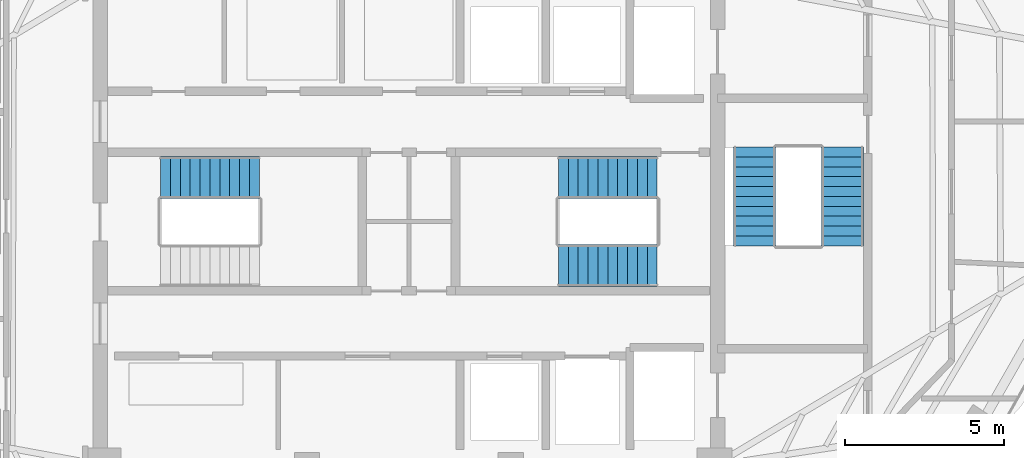
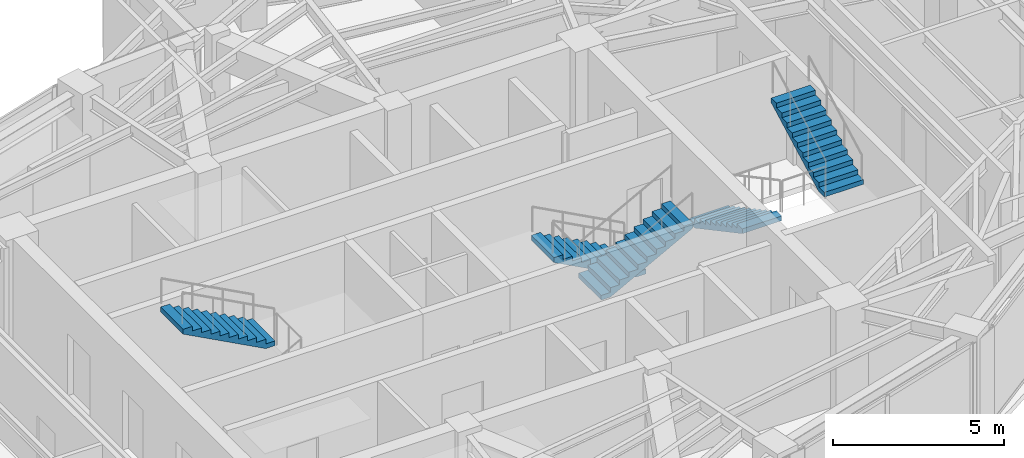
# One storey, part 21 of 23: 5 stair flights, 3 elements without a shape of their own.
"""IFC4 building model written with IfcOpenShell, lengths in metres."""

import ifcopenshell
import ifcopenshell.guid

model = None  # the IFC model being written
_history = None  # IfcOwnerHistory: only IFC2X3 demands one
_inside = {}  # id of a spatial element -> (the spatial element, [elements in it])
_under = {}  # id of a project, library or spatial element -> (it, [spatial elements below it])
_declared = {}  # id of a project -> (the project, [libraries it declares])
_typed = {}  # id of a type object -> (the type object, [elements of that type])
_made_of = {}  # id of a material, layer set ... -> (it, [elements and type objects made of it])


def new_model(schema):
    """Start an empty IFC model of exactly this schema.

    Asked for "IFC4X3", IfcOpenShell would pick the latest addendum, in which some entities
    have other attributes; the version numbers below select the first issue.
    IFC2X3 requires an IfcOwnerHistory on every rooted entity: one is made here for all.
    """
    global model, _history
    if schema == "IFC4X3":
        model = ifcopenshell.file(schema_version=(4, 3, 0, 0))
    else:
        model = ifcopenshell.file(schema=schema)
    _inside.clear()
    _under.clear()
    _declared.clear()
    _typed.clear()
    _made_of.clear()
    _history = None
    if model.schema == "IFC2X3":
        org = make("IfcOrganization", Name="unknown")
        user = make(
            "IfcPersonAndOrganization",
            ThePerson=make("IfcPerson", FamilyName="unknown"),
            TheOrganization=org,
        )
        app = make(
            "IfcApplication",
            ApplicationDeveloper=org,
            Version="unknown",
            ApplicationFullName="unknown",
            ApplicationIdentifier="unknown",
        )
        _history = make(
            "IfcOwnerHistory",
            OwningUser=user,
            OwningApplication=app,
            ChangeAction="ADDED",
            CreationDate=0,
        )
    return model


def make(cls, **values):
    """One entity of the class cls with the attributes given. An attribute that is None is left unset."""
    return model.create_entity(
        cls, **{name: value for name, value in values.items() if value is not None}
    )


def rooted(cls, **values):
    """An entity with a GlobalId (a new one), such as an element, a storey or a relation."""
    return make(cls, GlobalId=ifcopenshell.guid.new(), OwnerHistory=_history, **values)


def si_unit(unit_type, name, prefix=None):
    """IfcSIUnit, for example si_unit("LENGTHUNIT", "METRE", prefix="MILLI")."""
    return make("IfcSIUnit", UnitType=unit_type, Prefix=prefix, Name=name)


def assignment(units):
    """IfcUnitAssignment: the units of a project."""
    return None if units is None else make("IfcUnitAssignment", Units=units)


def point(xyz):
    """IfcCartesianPoint."""
    return None if xyz is None else make("IfcCartesianPoint", Coordinates=xyz)


def direction(xyz):
    """IfcDirection."""
    return None if xyz is None else make("IfcDirection", DirectionRatios=xyz)


def frame(location, z_axis=None, x_axis=None):
    """IfcAxis2Placement3D, a coordinate frame: its origin and axes. An axis left out is left unset."""
    return make(
        "IfcAxis2Placement3D",
        Location=point(location),
        Axis=direction(z_axis),
        RefDirection=direction(x_axis),
    )


def origin():
    """The frame at (0, 0, 0) with its axes left unset."""
    return frame((0.0, 0.0, 0.0))


def place(relative_to, where):
    """IfcLocalPlacement: puts the frame where relative to a parent placement (None: the world)."""
    return make(
        "IfcLocalPlacement", PlacementRelTo=relative_to, RelativePlacement=where
    )


def context(
    kind, dimensions, precision=None, world=None, true_north=None, identifier=None
):
    """IfcGeometricRepresentationContext, for example the 3D "Model" context."""
    return make(
        "IfcGeometricRepresentationContext",
        ContextIdentifier=identifier,
        ContextType=kind,
        CoordinateSpaceDimension=dimensions,
        Precision=precision,
        WorldCoordinateSystem=world,
        TrueNorth=true_north,
    )


def subcontext(parent, identifier, kind, view, scale=None):
    """IfcGeometricRepresentationSubContext, for example "Body" below "Model"."""
    return make(
        "IfcGeometricRepresentationSubContext",
        ContextIdentifier=identifier,
        ContextType=kind,
        ParentContext=parent,
        TargetScale=scale,
        TargetView=view,
    )


def project(units=None, contexts=None):
    """IfcProject with its units and contexts."""
    return rooted(
        "IfcProject",
        Name="project",
        RepresentationContexts=contexts,
        UnitsInContext=assignment(units),
    )


def spatial(cls, under=None, at=None, **own):
    """A site, building, storey or space (cls), placed at a placement, below another one or the project."""
    s = rooted(cls, ObjectPlacement=at, **own)
    if under is not None:
        _under.setdefault(under.id(), (under, []))[1].append(s)
    return s


def polyline(points):
    """IfcPolyline through the points."""
    return make("IfcPolyline", Points=[point(p) for p in points])


def outline(outer, holes=None, kind="AREA"):
    """IfcArbitraryClosedProfileDef: a profile drawn as a closed curve; with holes, ...WithVoids."""
    if holes is None:
        return make("IfcArbitraryClosedProfileDef", ProfileType=kind, OuterCurve=outer)
    return make(
        "IfcArbitraryProfileDefWithVoids",
        ProfileType=kind,
        OuterCurve=outer,
        InnerCurves=holes,
    )


def extrude(swept, where, along, depth):
    """IfcExtrudedAreaSolid: the profile swept, set in the frame where, extruded along a direction by depth."""
    return make(
        "IfcExtrudedAreaSolid",
        SweptArea=swept,
        Position=where,
        ExtrudedDirection=direction(along),
        Depth=depth,
    )


def shape(context_of_items, identifier, shape_type, items):
    """IfcShapeRepresentation: the items that make up one representation, for example the "Body"."""
    return make(
        "IfcShapeRepresentation",
        ContextOfItems=context_of_items,
        RepresentationIdentifier=identifier,
        RepresentationType=shape_type,
        Items=items,
    )


def material(Name=None, Category=None):
    """IfcMaterial."""
    return make("IfcMaterial", Name=Name, Category=Category)


def made_of(thing, what):
    """Note that an element or type object is made of a material, layer set ...; save() writes the relation."""
    if what is not None:
        _made_of.setdefault(what.id(), (what, []))[1].append(thing)
    return thing


def type_object(cls, material=None, **own):
    """A type object (cls), such as IfcWallType, which elements share."""
    return made_of(rooted(cls, **own), material)


def element(
    cls,
    number,
    at=None,
    inside=None,
    cuts=None,
    type_object=None,
    material=None,
    context=None,
    identifier="Body",
    shape_type=None,
    held_by="IfcProductDefinitionShape",
    body=None,
    shapes=None,
    **own,
):
    """One element of the class cls, such as IfcWall. Its Tag is "e" and its number.

    at: its placement. inside: the storey or other place that contains it. cuts: it is an
    opening in that element (IfcRelVoidsElement). A single representation is given by context,
    identifier, shape_type and body (its items); several are given by shapes. held_by: the class
    of the entity that holds the representations. save() writes the other relations.
    """
    e = rooted(cls, Tag="e%d" % number, ObjectPlacement=at, **own)
    if body is not None:
        shapes = [shape(context, identifier, shape_type, body)]
    if shapes is not None:
        e.Representation = make(held_by, Representations=shapes)
    if inside is not None:
        _inside.setdefault(inside.id(), (inside, []))[1].append(e)
    if cuts is not None:
        rooted(
            "IfcRelVoidsElement", RelatingBuildingElement=cuts, RelatedOpeningElement=e
        )
    if type_object is not None:
        _typed.setdefault(type_object.id(), (type_object, []))[1].append(e)
    return made_of(e, material)


def aggregate(whole, parts):
    """IfcRelAggregates: a whole, such as a stair, and the parts it consists of."""
    return rooted("IfcRelAggregates", RelatingObject=whole, RelatedObjects=parts)


def save(model, path):
    """Write the relations noted so far, then the file.

    IfcRelAggregates (storeys below a building ...), IfcRelContainedInSpatialStructure (elements
    in a storey), IfcRelDefinesByType, IfcRelAssociatesMaterial and IfcRelDeclares: one each for
    every whole, place, type object, material and project.
    """
    for whole, parts in _under.values():
        aggregate(whole, parts)
    for where, things in _inside.values():
        rooted(
            "IfcRelContainedInSpatialStructure",
            RelatedElements=things,
            RelatingStructure=where,
        )
    for kind, things in _typed.values():
        rooted("IfcRelDefinesByType", RelatedObjects=things, RelatingType=kind)
    for what, things in _made_of.values():
        rooted("IfcRelAssociatesMaterial", RelatedObjects=things, RelatingMaterial=what)
    for by, libraries in _declared.values():
        rooted("IfcRelDeclares", RelatingContext=by, RelatedDefinitions=libraries)
    model.write(path)


model = new_model("IFC4")

# Units and contexts
model_context = context("Model", 3, precision=1e-05, world=origin(), true_north=direction((0.0, 1.0)))
body_context = subcontext(model_context, "Body", "Model", "MODEL_VIEW")
ifc_project = project(units=[si_unit("LENGTHUNIT", "METRE"), si_unit("AREAUNIT", "SQUARE_METRE"), si_unit("VOLUMEUNIT", "CUBIC_METRE"), si_unit("PLANEANGLEUNIT", "RADIAN"), si_unit("MASSUNIT", "GRAM", prefix="KILO")], contexts=[model_context])

# Site, building, storey
site_placement = place(None, origin())
site = spatial("IfcSite", under=ifc_project, at=site_placement, CompositionType="ELEMENT")
building_placement = place(site_placement, origin())
building = spatial("IfcBuilding", under=site, at=building_placement, Name="Lazwardi Medical Tower", CompositionType="ELEMENT")
storey_placement = place(building_placement, frame((0.0, 0.0, 262.320068359375)))
storey = spatial("IfcBuildingStorey", under=building, at=storey_placement, Name="L68", CompositionType="ELEMENT", Elevation=262.320068359375)

# Stair, stair flight
ifc_material = material(Name="Concrete C45/55", Category="concrete")
stair_type = type_object("IfcStairType", Name="STR-WRD", PredefinedType="HALF_TURN_STAIR", material=ifc_material)
stair_1_placement = place(storey_placement, origin())
stair_1 = element("IfcStair", 1, at=stair_1_placement, inside=storey, type_object=stair_type, Name="L68 Protected Exit Stair ST1", PredefinedType="HALF_TURN_STAIR")
stair_flight_type = type_object("IfcStairFlightType", Name="FLT-WRD", PredefinedType="STRAIGHT", material=ifc_material)
stair_flight_1_placement = place(storey_placement, frame((31.300048828125, 29.43994140625, 1.823974609375), z_axis=(0.0, 0.0, 1.0), x_axis=(-1.0, 0.0, 0.0)))
stair_flight_1 = element("IfcStairFlight", 2, at=stair_flight_1_placement, type_object=stair_flight_type, Name="ST1 flight 2", NumberOfRisers=11, NumberOfTreads=10, PredefinedType="STRAIGHT", RiserHeight=0.165818182, TreadLength=0.31, context=body_context, shape_type="SweptSolid", body=[
    extrude(outline(polyline([(0.0, 0.0), (0.0, 0.165771484375), (0.31005859375, 0.165771484375), (0.31005859375, 0.33154296875), (0.6201171875, 0.33154296875), (0.6201171875, 0.49755859375), (0.929931640625, 0.49755859375), (0.929931640625, 0.663330078125), (1.239990234375, 0.663330078125), (1.239990234375, 0.8291015625), (1.550048828125, 0.8291015625), (1.550048828125, 0.994873046875), (1.860107421875, 0.994873046875), (1.860107421875, 1.16064453125), (2.169921875, 1.16064453125), (2.169921875, 1.32666015625), (2.47998046875, 1.32666015625), (2.47998046875, 1.492431640625), (2.7900390625, 1.492431640625), (2.7900390625, 1.658203125), (3.10009765625, 1.658203125), (3.10009765625, 1.823974609375), (3.10009765625, 1.48828125), (0.31787109375, 0.0), (0.0, 0.0)])), frame((0.0, 0.66015625, 0.0), z_axis=(0.0, -1.0, 0.0), x_axis=(1.0, 0.0, 0.0)), (0.0, 0.0, 1.0), 1.320068359375),
])
aggregate(stair_1, [stair_flight_1])

# Stair, stair flights
stair_2_placement = place(storey_placement, origin())
stair_2 = element("IfcStair", 3, at=stair_2_placement, inside=storey, type_object=stair_type, Name="L68 Protected Exit Stair ST2", PredefinedType="HALF_TURN_STAIR")
stair_flight_2_placement = place(storey_placement, frame((43.800048828125, 29.43994140625, 0.0), z_axis=(0.0, 0.0, 1.0), x_axis=(-1.0, 0.0, 0.0)))
stair_flight_2 = element("IfcStairFlight", 4, at=stair_flight_2_placement, type_object=stair_flight_type, Name="ST2 flight 1", NumberOfRisers=11, NumberOfTreads=10, PredefinedType="STRAIGHT", RiserHeight=0.165818182, TreadLength=0.31, context=body_context, shape_type="SweptSolid", body=[
    extrude(outline(polyline([(0.0, 0.0), (0.0, 0.165771484375), (0.31005859375, 0.165771484375), (0.31005859375, 0.33154296875), (0.6201171875, 0.33154296875), (0.6201171875, 0.49755859375), (0.929931640625, 0.49755859375), (0.929931640625, 0.663330078125), (1.239990234375, 0.663330078125), (1.239990234375, 0.8291015625), (1.550048828125, 0.8291015625), (1.550048828125, 0.994873046875), (1.860107421875, 0.994873046875), (1.860107421875, 1.16064453125), (2.169921875, 1.16064453125), (2.169921875, 1.32666015625), (2.47998046875, 1.32666015625), (2.47998046875, 1.492431640625), (2.7900390625, 1.492431640625), (2.7900390625, 1.658203125), (3.10009765625, 1.658203125), (3.10009765625, 1.823974609375), (3.10009765625, 1.48828125), (0.31787109375, 0.0), (0.0, 0.0)])), frame((0.0, 0.66015625, 0.0), z_axis=(0.0, -1.0, 0.0), x_axis=(1.0, 0.0, 0.0)), (0.0, 0.0, 1.0), 1.320068359375),
])
stair_flight_3_placement = place(storey_placement, frame((40.699951171875, 26.679931640625, 1.823974609375), z_axis=(0.0, 0.0, 1.0), x_axis=(1.0, 0.0, 0.0)))
stair_flight_3 = element("IfcStairFlight", 5, at=stair_flight_3_placement, type_object=stair_flight_type, Name="ST2 flight 2", NumberOfRisers=11, NumberOfTreads=10, PredefinedType="STRAIGHT", RiserHeight=0.165818182, TreadLength=0.31, context=body_context, shape_type="SweptSolid", body=[
    extrude(outline(polyline([(0.0, 0.0), (0.0, 0.165771484375), (0.31005859375, 0.165771484375), (0.31005859375, 0.33154296875), (0.6201171875, 0.33154296875), (0.6201171875, 0.49755859375), (0.929931640625, 0.49755859375), (0.929931640625, 0.663330078125), (1.239990234375, 0.663330078125), (1.239990234375, 0.8291015625), (1.550048828125, 0.8291015625), (1.550048828125, 0.994873046875), (1.860107421875, 0.994873046875), (1.860107421875, 1.16064453125), (2.169921875, 1.16064453125), (2.169921875, 1.32666015625), (2.47998046875, 1.32666015625), (2.47998046875, 1.492431640625), (2.7900390625, 1.492431640625), (2.7900390625, 1.658203125), (3.10009765625, 1.658203125), (3.10009765625, 1.823974609375), (3.10009765625, 1.48828125), (0.31787109375, 0.0), (0.0, 0.0)])), frame((0.0, 0.66015625, 0.0), z_axis=(0.0, -1.0, 0.0), x_axis=(1.0, 0.0, 0.0)), (0.0, 0.0, 1.0), 1.320068359375),
])
aggregate(stair_2, [stair_flight_2, stair_flight_3])

stair_3_placement = place(storey_placement, origin())
stair_3 = element("IfcStair", 6, at=stair_3_placement, inside=storey, type_object=stair_type, Name="L68 Protected Exit Stair ST3", PredefinedType="HALF_TURN_STAIR")
stair_flight_4_placement = place(storey_placement, frame((46.860107421875, 30.39990234375, 0.0), z_axis=(0.0, 0.0, 1.0), x_axis=(0.0, -1.0, 0.0)))
stair_flight_4 = element("IfcStairFlight", 7, at=stair_flight_4_placement, type_object=stair_flight_type, Name="ST3 flight 1", NumberOfRisers=11, NumberOfTreads=10, PredefinedType="STRAIGHT", RiserHeight=0.165818182, TreadLength=0.31, context=body_context, shape_type="SweptSolid", body=[
    extrude(outline(polyline([(0.0, 0.0), (0.0, 0.165771484375), (0.31005859375, 0.165771484375), (0.31005859375, 0.33154296875), (0.6201171875, 0.33154296875), (0.6201171875, 0.49755859375), (0.929931640625, 0.49755859375), (0.929931640625, 0.663330078125), (1.239990234375, 0.663330078125), (1.239990234375, 0.8291015625), (1.550048828125, 0.8291015625), (1.550048828125, 0.994873046875), (1.860107421875, 0.994873046875), (1.860107421875, 1.16064453125), (2.169921875, 1.16064453125), (2.169921875, 1.32666015625), (2.47998046875, 1.32666015625), (2.47998046875, 1.492431640625), (2.7900390625, 1.492431640625), (2.7900390625, 1.658203125), (3.10009765625, 1.658203125), (3.10009765625, 1.823974609375), (3.10009765625, 1.48828125), (0.31787109375, 0.0), (0.0, 0.0)])), frame((0.0, 0.66015625, 0.0), z_axis=(0.0, -1.0, 0.0), x_axis=(1.0, 0.0, 0.0)), (0.0, 0.0, 1.0), 1.320068359375),
])
stair_flight_5_placement = place(storey_placement, frame((49.6201171875, 27.300048828125, 1.823974609375), z_axis=(0.0, 0.0, 1.0), x_axis=(0.0, 1.0, 0.0)))
stair_flight_5 = element("IfcStairFlight", 8, at=stair_flight_5_placement, type_object=stair_flight_type, Name="ST3 flight 2", NumberOfRisers=11, NumberOfTreads=10, PredefinedType="STRAIGHT", RiserHeight=0.165818182, TreadLength=0.31, context=body_context, shape_type="SweptSolid", body=[
    extrude(outline(polyline([(0.0, 0.0), (0.0, 0.165771484375), (0.31005859375, 0.165771484375), (0.31005859375, 0.33154296875), (0.6201171875, 0.33154296875), (0.6201171875, 0.49755859375), (0.929931640625, 0.49755859375), (0.929931640625, 0.663330078125), (1.239990234375, 0.663330078125), (1.239990234375, 0.8291015625), (1.550048828125, 0.8291015625), (1.550048828125, 0.994873046875), (1.860107421875, 0.994873046875), (1.860107421875, 1.16064453125), (2.169921875, 1.16064453125), (2.169921875, 1.32666015625), (2.47998046875, 1.32666015625), (2.47998046875, 1.492431640625), (2.7900390625, 1.492431640625), (2.7900390625, 1.658203125), (3.10009765625, 1.658203125), (3.10009765625, 1.823974609375), (3.10009765625, 1.48828125), (0.31787109375, 0.0), (0.0, 0.0)])), frame((0.0, 0.66015625, 0.0), z_axis=(0.0, -1.0, 0.0), x_axis=(1.0, 0.0, 0.0)), (0.0, 0.0, 1.0), 1.320068359375),
])
aggregate(stair_3, [stair_flight_4, stair_flight_5])

save(model, "model.ifc")
